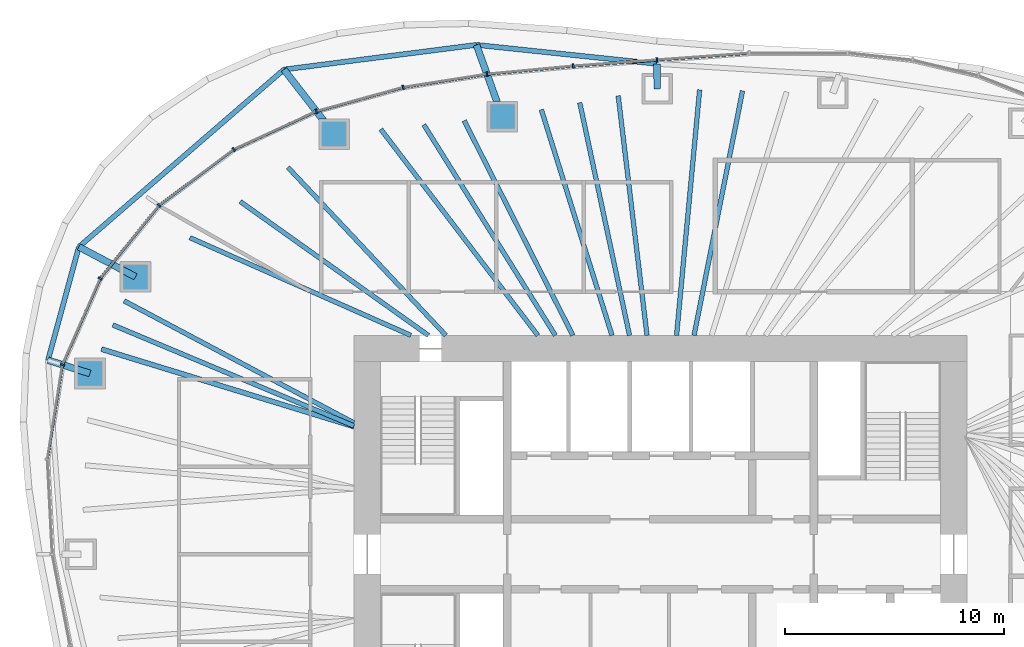
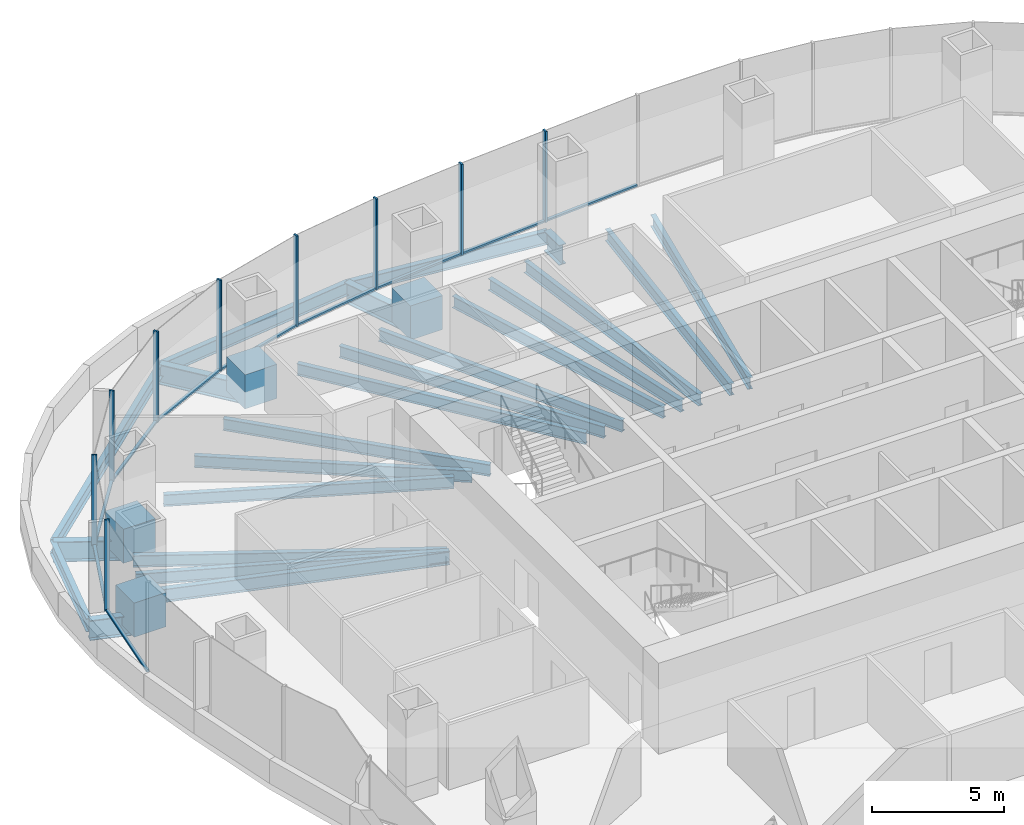
# One storey, part 5 of 12: 23 beams, 23 members, 6 elements without a shape of their own.
"""IFC4 building model written with IfcOpenShell, lengths in metres."""

import ifcopenshell
import ifcopenshell.guid

model = None  # the IFC model being written
_history = None  # IfcOwnerHistory: only IFC2X3 demands one
_inside = {}  # id of a spatial element -> (the spatial element, [elements in it])
_under = {}  # id of a project, library or spatial element -> (it, [spatial elements below it])
_declared = {}  # id of a project -> (the project, [libraries it declares])
_typed = {}  # id of a type object -> (the type object, [elements of that type])
_made_of = {}  # id of a material, layer set ... -> (it, [elements and type objects made of it])


def new_model(schema):
    """Start an empty IFC model of exactly this schema.

    Asked for "IFC4X3", IfcOpenShell would pick the latest addendum, in which some entities
    have other attributes; the version numbers below select the first issue.
    IFC2X3 requires an IfcOwnerHistory on every rooted entity: one is made here for all.
    """
    global model, _history
    if schema == "IFC4X3":
        model = ifcopenshell.file(schema_version=(4, 3, 0, 0))
    else:
        model = ifcopenshell.file(schema=schema)
    _inside.clear()
    _under.clear()
    _declared.clear()
    _typed.clear()
    _made_of.clear()
    _history = None
    if model.schema == "IFC2X3":
        org = make("IfcOrganization", Name="unknown")
        user = make(
            "IfcPersonAndOrganization",
            ThePerson=make("IfcPerson", FamilyName="unknown"),
            TheOrganization=org,
        )
        app = make(
            "IfcApplication",
            ApplicationDeveloper=org,
            Version="unknown",
            ApplicationFullName="unknown",
            ApplicationIdentifier="unknown",
        )
        _history = make(
            "IfcOwnerHistory",
            OwningUser=user,
            OwningApplication=app,
            ChangeAction="ADDED",
            CreationDate=0,
        )
    return model


def make(cls, **values):
    """One entity of the class cls with the attributes given. An attribute that is None is left unset."""
    return model.create_entity(
        cls, **{name: value for name, value in values.items() if value is not None}
    )


def rooted(cls, **values):
    """An entity with a GlobalId (a new one), such as an element, a storey or a relation."""
    return make(cls, GlobalId=ifcopenshell.guid.new(), OwnerHistory=_history, **values)


def si_unit(unit_type, name, prefix=None):
    """IfcSIUnit, for example si_unit("LENGTHUNIT", "METRE", prefix="MILLI")."""
    return make("IfcSIUnit", UnitType=unit_type, Prefix=prefix, Name=name)


def assignment(units):
    """IfcUnitAssignment: the units of a project."""
    return None if units is None else make("IfcUnitAssignment", Units=units)


def point(xyz):
    """IfcCartesianPoint."""
    return None if xyz is None else make("IfcCartesianPoint", Coordinates=xyz)


def direction(xyz):
    """IfcDirection."""
    return None if xyz is None else make("IfcDirection", DirectionRatios=xyz)


def frame(location, z_axis=None, x_axis=None):
    """IfcAxis2Placement3D, a coordinate frame: its origin and axes. An axis left out is left unset."""
    return make(
        "IfcAxis2Placement3D",
        Location=point(location),
        Axis=direction(z_axis),
        RefDirection=direction(x_axis),
    )


def frame_2d(location, x_axis=None):
    """IfcAxis2Placement2D, a coordinate frame in the plane: its origin and x axis."""
    return make(
        "IfcAxis2Placement2D", Location=point(location), RefDirection=direction(x_axis)
    )


def origin():
    """The frame at (0, 0, 0) with its axes left unset."""
    return frame((0.0, 0.0, 0.0))


def origin_2d():
    """The frame at (0, 0) in the plane with its x axis left unset."""
    return frame_2d((0.0, 0.0))


def place(relative_to, where):
    """IfcLocalPlacement: puts the frame where relative to a parent placement (None: the world)."""
    return make(
        "IfcLocalPlacement", PlacementRelTo=relative_to, RelativePlacement=where
    )


def context(
    kind, dimensions, precision=None, world=None, true_north=None, identifier=None
):
    """IfcGeometricRepresentationContext, for example the 3D "Model" context."""
    return make(
        "IfcGeometricRepresentationContext",
        ContextIdentifier=identifier,
        ContextType=kind,
        CoordinateSpaceDimension=dimensions,
        Precision=precision,
        WorldCoordinateSystem=world,
        TrueNorth=true_north,
    )


def subcontext(parent, identifier, kind, view, scale=None):
    """IfcGeometricRepresentationSubContext, for example "Body" below "Model"."""
    return make(
        "IfcGeometricRepresentationSubContext",
        ContextIdentifier=identifier,
        ContextType=kind,
        ParentContext=parent,
        TargetScale=scale,
        TargetView=view,
    )


def project(units=None, contexts=None):
    """IfcProject with its units and contexts."""
    return rooted(
        "IfcProject",
        Name="project",
        RepresentationContexts=contexts,
        UnitsInContext=assignment(units),
    )


def spatial(cls, under=None, at=None, **own):
    """A site, building, storey or space (cls), placed at a placement, below another one or the project."""
    s = rooted(cls, ObjectPlacement=at, **own)
    if under is not None:
        _under.setdefault(under.id(), (under, []))[1].append(s)
    return s


def profile(cls, at=None, kind="AREA", **sizes):
    """A parametric profile (cls). Its sizes go by their IFC names, for example OverallWidth=200.0."""
    return make(cls, ProfileType=kind, Position=at, **sizes)


def rectangle(**sizes):
    """IfcRectangleProfileDef."""
    return profile("IfcRectangleProfileDef", **sizes)


def hollow_rectangle(**sizes):
    """IfcRectangleHollowProfileDef."""
    return profile("IfcRectangleHollowProfileDef", **sizes)


def i_section(**sizes):
    """IfcIShapeProfileDef."""
    return profile("IfcIShapeProfileDef", **sizes)


def extrude(swept, where, along, depth):
    """IfcExtrudedAreaSolid: the profile swept, set in the frame where, extruded along a direction by depth."""
    return make(
        "IfcExtrudedAreaSolid",
        SweptArea=swept,
        Position=where,
        ExtrudedDirection=direction(along),
        Depth=depth,
    )


def boolean(op, a, b):
    """IfcBooleanResult of two solids."""
    return make("IfcBooleanResult", Operator=op, FirstOperand=a, SecondOperand=b)


def shape(context_of_items, identifier, shape_type, items):
    """IfcShapeRepresentation: the items that make up one representation, for example the "Body"."""
    return make(
        "IfcShapeRepresentation",
        ContextOfItems=context_of_items,
        RepresentationIdentifier=identifier,
        RepresentationType=shape_type,
        Items=items,
    )


def material(Name=None, Category=None):
    """IfcMaterial."""
    return make("IfcMaterial", Name=Name, Category=Category)


def material_profile(
    of_material, cross_section, Name=None, Category=None, Priority=None
):
    """IfcMaterialProfile: a cross section and its material."""
    return make(
        "IfcMaterialProfile",
        Name=Name,
        Material=of_material,
        Profile=cross_section,
        Priority=Priority,
        Category=Category,
    )


def profile_set(profiles, Name=None, composite=None):
    """IfcMaterialProfileSet."""
    return make(
        "IfcMaterialProfileSet",
        Name=Name,
        MaterialProfiles=profiles,
        CompositeProfile=composite,
    )


def made_of(thing, what):
    """Note that an element or type object is made of a material, layer set ...; save() writes the relation."""
    if what is not None:
        _made_of.setdefault(what.id(), (what, []))[1].append(thing)
    return thing


def type_object(cls, material=None, **own):
    """A type object (cls), such as IfcWallType, which elements share."""
    return made_of(rooted(cls, **own), material)


def element(
    cls,
    number,
    at=None,
    inside=None,
    cuts=None,
    type_object=None,
    material=None,
    context=None,
    identifier="Body",
    shape_type=None,
    held_by="IfcProductDefinitionShape",
    body=None,
    shapes=None,
    **own,
):
    """One element of the class cls, such as IfcWall. Its Tag is "e" and its number.

    at: its placement. inside: the storey or other place that contains it. cuts: it is an
    opening in that element (IfcRelVoidsElement). A single representation is given by context,
    identifier, shape_type and body (its items); several are given by shapes. held_by: the class
    of the entity that holds the representations. save() writes the other relations.
    """
    e = rooted(cls, Tag="e%d" % number, ObjectPlacement=at, **own)
    if body is not None:
        shapes = [shape(context, identifier, shape_type, body)]
    if shapes is not None:
        e.Representation = make(held_by, Representations=shapes)
    if inside is not None:
        _inside.setdefault(inside.id(), (inside, []))[1].append(e)
    if cuts is not None:
        rooted(
            "IfcRelVoidsElement", RelatingBuildingElement=cuts, RelatedOpeningElement=e
        )
    if type_object is not None:
        _typed.setdefault(type_object.id(), (type_object, []))[1].append(e)
    return made_of(e, material)


def aggregate(whole, parts):
    """IfcRelAggregates: a whole, such as a stair, and the parts it consists of."""
    return rooted("IfcRelAggregates", RelatingObject=whole, RelatedObjects=parts)


def save(model, path):
    """Write the relations noted so far, then the file.

    IfcRelAggregates (storeys below a building ...), IfcRelContainedInSpatialStructure (elements
    in a storey), IfcRelDefinesByType, IfcRelAssociatesMaterial and IfcRelDeclares: one each for
    every whole, place, type object, material and project.
    """
    for whole, parts in _under.values():
        aggregate(whole, parts)
    for where, things in _inside.values():
        rooted(
            "IfcRelContainedInSpatialStructure",
            RelatedElements=things,
            RelatingStructure=where,
        )
    for kind, things in _typed.values():
        rooted("IfcRelDefinesByType", RelatedObjects=things, RelatingType=kind)
    for what, things in _made_of.values():
        rooted("IfcRelAssociatesMaterial", RelatedObjects=things, RelatingMaterial=what)
    for by, libraries in _declared.values():
        rooted("IfcRelDeclares", RelatingContext=by, RelatedDefinitions=libraries)
    model.write(path)


model = new_model("IFC4")

# Units and contexts
model_context = context("Model", 3, precision=1e-05, world=origin(), true_north=direction((0.0, 1.0)))
body_context = subcontext(model_context, "Body", "Model", "MODEL_VIEW")
ifc_project = project(units=[si_unit("LENGTHUNIT", "METRE"), si_unit("AREAUNIT", "SQUARE_METRE"), si_unit("VOLUMEUNIT", "CUBIC_METRE"), si_unit("PLANEANGLEUNIT", "RADIAN"), si_unit("MASSUNIT", "GRAM", prefix="KILO")], contexts=[model_context])

# Site, building, storey
site_placement = place(None, origin())
site = spatial("IfcSite", under=ifc_project, at=site_placement, CompositionType="ELEMENT")
building_placement = place(site_placement, origin())
building = spatial("IfcBuilding", under=site, at=building_placement, Name="Ghaith Harvest Tower", CompositionType="ELEMENT")
storey_placement = place(building_placement, frame((0.0, 0.0, 194.800048828125)))
storey = spatial("IfcBuildingStorey", under=building, at=storey_placement, Name="L42", CompositionType="ELEMENT", Elevation=194.800048828125)

# Curtain wall, members
ifc_material_1 = material(Name="Black anodised aluminium and fritted glass", Category="aluminium")
curtain_wall_type = type_object("IfcCurtainWallType", Name="CW-H CURTAIN WALL", PredefinedType="NOTDEFINED", material=ifc_material_1)
curtain_wall_1_placement = place(storey_placement, origin())
curtain_wall_1 = element("IfcCurtainWall", 1, at=curtain_wall_1_placement, inside=storey, type_object=curtain_wall_type, Name="Curtain wall CW-H bay 06 L42", PredefinedType="NOTDEFINED")
ifc_material_2 = material(Name="Aluminium, black anodised", Category="aluminium")
ifc_material_profile_1 = material_profile(ifc_material_2, rectangle(XDim=0.080078125, YDim=0.199951171875, at=origin_2d()), Name="CW-H MULLION 80x200")
ifc_profile_set_1 = profile_set([ifc_material_profile_1], Name="Aluminium, black anodised")
member_type_1 = type_object("IfcMemberType", Name="CW-H MULLION 80x200", PredefinedType="MULLION", material=ifc_profile_set_1)
member_1_placement = place(storey_placement, frame((-0.154541015625, 22.590576171875, 0.0), z_axis=(0.0, 0.0, 1.0), x_axis=(-0.997329249665, -0.073036756239, 0.0)))
member_1 = element("IfcMember", 2, at=member_1_placement, type_object=member_type_1, Name="CW-H mullion 1 bay 06 L42", PredefinedType="MULLION", context=body_context, shape_type="SweptSolid", body=[
    extrude(rectangle(XDim=0.080078125, YDim=0.199951171875, at=origin_2d()), origin(), (0.0, 0.0, 1.0), 4.199951171875),
])
member_2_placement = place(storey_placement, frame((-3.984375, 22.310302734375, 0.0), z_axis=(0.0, 0.0, 1.0), x_axis=(-0.996522526822, -0.083323787336, 0.0)))
member_2 = element("IfcMember", 3, at=member_2_placement, type_object=member_type_1, Name="CW-H mullion 2 bay 06 L42", PredefinedType="MULLION", context=body_context, shape_type="SweptSolid", body=[
    extrude(rectangle(XDim=0.080078125, YDim=0.199951171875, at=origin_2d()), origin(), (0.0, 0.0, 1.0), 4.199951171875),
])

curtain_wall_2_placement = place(storey_placement, origin())
curtain_wall_2 = element("IfcCurtainWall", 4, at=curtain_wall_2_placement, inside=storey, type_object=curtain_wall_type, Name="Curtain wall CW-H bay 07 L42", PredefinedType="NOTDEFINED")
member_3_placement = place(storey_placement, frame((-7.924560546875, 21.94091796875, 0.0), z_axis=(0.0, 0.0, 1.0), x_axis=(-0.992235485325, -0.124373396119, 0.0)))
member_3 = element("IfcMember", 5, at=member_3_placement, type_object=member_type_1, Name="CW-H mullion 1 bay 07 L42", PredefinedType="MULLION", context=body_context, shape_type="SweptSolid", body=[
    extrude(rectangle(XDim=0.080078125, YDim=0.199951171875, at=origin_2d()), origin(), (0.0, 0.0, 1.0), 4.199951171875),
])
member_4_placement = place(storey_placement, frame((-11.75244140625, 21.336669921875, 0.0), z_axis=(0.0, 0.0, 1.0), x_axis=(-0.977086484172, -0.212842670646, 0.0)))
member_4 = element("IfcMember", 6, at=member_4_placement, type_object=member_type_1, Name="CW-H mullion 2 bay 07 L42", PredefinedType="MULLION", context=body_context, shape_type="SweptSolid", body=[
    extrude(rectangle(XDim=0.080078125, YDim=0.199951171875, at=origin_2d()), origin(), (0.0, 0.0, 1.0), 4.199951171875),
])

curtain_wall_3_placement = place(storey_placement, origin())
curtain_wall_3 = element("IfcCurtainWall", 7, at=curtain_wall_3_placement, inside=storey, type_object=curtain_wall_type, Name="Curtain wall CW-H bay 08 L42", PredefinedType="NOTDEFINED")
member_5_placement = place(storey_placement, frame((-15.720947265625, 20.242431640625, 0.0), z_axis=(0.0, 0.0, 1.0), x_axis=(-0.938930986476, -0.344105510906, 0.0)))
member_5 = element("IfcMember", 8, at=member_5_placement, type_object=member_type_1, Name="CW-H mullion 1 bay 08 L42", PredefinedType="MULLION", context=body_context, shape_type="SweptSolid", body=[
    extrude(rectangle(XDim=0.080078125, YDim=0.199951171875, at=origin_2d()), origin(), (0.0, 0.0, 1.0), 4.199951171875),
])
member_6_placement = place(storey_placement, frame((-19.4951171875, 18.4990234375, 0.0), z_axis=(0.0, 0.0, 1.0), x_axis=(-0.857998754004, -0.513651767376, 0.0)))
member_6 = element("IfcMember", 9, at=member_6_placement, type_object=member_type_1, Name="CW-H mullion 2 bay 08 L42", PredefinedType="MULLION", context=body_context, shape_type="SweptSolid", body=[
    extrude(rectangle(XDim=0.080078125, YDim=0.199951171875, at=origin_2d()), origin(), (0.0, 0.0, 1.0), 4.199951171875),
])

curtain_wall_4_placement = place(storey_placement, origin())
curtain_wall_4 = element("IfcCurtainWall", 10, at=curtain_wall_4_placement, inside=storey, type_object=curtain_wall_type, Name="Curtain wall CW-H bay 09 L42", PredefinedType="NOTDEFINED")
member_7_placement = place(storey_placement, frame((-22.908203125, 15.939697265625, 0.0), z_axis=(0.0, 0.0, 1.0), x_axis=(-0.719146135082, -0.694858860774, 0.0)))
member_7 = element("IfcMember", 11, at=member_7_placement, type_object=member_type_1, Name="CW-H mullion 1 bay 09 L42", PredefinedType="MULLION", context=body_context, shape_type="SweptSolid", body=[
    extrude(rectangle(XDim=0.080078125, YDim=0.199951171875, at=origin_2d()), origin(), (0.0, 0.0, 1.0), 4.199951171875),
])
member_8_placement = place(storey_placement, frame((-25.599609375, 12.6005859375, 0.0), z_axis=(0.0, 0.0, 1.0), x_axis=(-0.518769201232, -0.854914332464, 0.0)))
member_8 = element("IfcMember", 12, at=member_8_placement, type_object=member_type_1, Name="CW-H mullion 2 bay 09 L42", PredefinedType="MULLION", context=body_context, shape_type="SweptSolid", body=[
    extrude(rectangle(XDim=0.080078125, YDim=0.199951171875, at=origin_2d()), origin(), (0.0, 0.0, 1.0), 4.199951171875),
])

# Curtain wall, member
curtain_wall_5_placement = place(storey_placement, origin())
curtain_wall_5 = element("IfcCurtainWall", 13, at=curtain_wall_5_placement, inside=storey, type_object=curtain_wall_type, Name="Curtain wall CW-H bay 10 L42", PredefinedType="NOTDEFINED")
member_9_placement = place(storey_placement, frame((-27.32568359375, 8.659912109375, 0.0), z_axis=(0.0, 0.0, 1.0), x_axis=(-0.280520268431, -0.959848102045, 0.0)))
member_9 = element("IfcMember", 14, at=member_9_placement, type_object=member_type_1, Name="CW-H mullion 1 bay 10 L42", PredefinedType="MULLION", context=body_context, shape_type="SweptSolid", body=[
    extrude(rectangle(XDim=0.080078125, YDim=0.199951171875, at=origin_2d()), origin(), (0.0, 0.0, 1.0), 4.199951171875),
])

curtain_wall_6_placement = place(storey_placement, origin())
curtain_wall_6 = element("IfcCurtainWall", 15, at=curtain_wall_6_placement, inside=storey, type_object=curtain_wall_type, Name="Curtain wall CW-H bay 05 L42", PredefinedType="NOTDEFINED")
ifc_material_3 = material(Name="Aluminium, black anodised", Category="aluminium")
ifc_material_profile_2 = material_profile(ifc_material_3, rectangle(XDim=0.1298828125, YDim=0.080078125, at=origin_2d()), Name="CW-H TRANSOM 130x80")
ifc_profile_set_2 = profile_set([ifc_material_profile_2], Name="Aluminium, black anodised")
member_type_2 = type_object("IfcMemberType", Name="CW-H TRANSOM 130x80", PredefinedType="USERDEFINED", material=ifc_profile_set_2)
member_10_placement = place(storey_placement, frame((4.01953125, 22.896484375, 0.0400390625), z_axis=(-0.997325457985, -0.07308851384, 0.0), x_axis=(0.07308851384, -0.997325457985, 0.0)))
member_10 = element("IfcMember", 16, at=member_10_placement, type_object=member_type_2, Name="CW-H transom 2 bay 05 L42", ObjectType="TRANSOM", PredefinedType="USERDEFINED", context=body_context, shape_type="SweptSolid", body=[
    extrude(rectangle(XDim=0.1298828125, YDim=0.080078125, at=origin_2d()), origin(), (0.0, 0.0, 1.0), 4.145263671875),
])
aggregate(curtain_wall_6, [member_10])

# Member
member_11_placement = place(storey_placement, frame((-0.194580078125, 22.587646484375, 0.0400390625), z_axis=(-0.997332916649, -0.072986665689, 0.0), x_axis=(0.072986665689, -0.997332916649, 0.0)))
member_11 = element("IfcMember", 17, at=member_11_placement, type_object=member_type_2, Name="CW-H transom 1 bay 06 L42", ObjectType="TRANSOM", PredefinedType="USERDEFINED", context=body_context, shape_type="SweptSolid", body=[
    extrude(rectangle(XDim=0.1298828125, YDim=0.080078125, at=origin_2d()), origin(), (0.0, 0.0, 1.0), 3.759765625),
])

member_12_placement = place(storey_placement, frame((-4.024169921875, 22.306640625, 0.0400390625), z_axis=(-0.995631116984, -0.093373866217, 0.0), x_axis=(0.093373866217, -0.995631116984, 0.0)))
member_12 = element("IfcMember", 18, at=member_12_placement, type_object=member_type_2, Name="CW-H transom 2 bay 06 L42", ObjectType="TRANSOM", PredefinedType="USERDEFINED", context=body_context, shape_type="SweptSolid", body=[
    extrude(rectangle(XDim=0.1298828125, YDim=0.080078125, at=origin_2d()), origin(), (0.0, 0.0, 1.0), 3.87744140625),
])

aggregate(curtain_wall_1, [member_1, member_11, member_2, member_12])

member_13_placement = place(storey_placement, frame((-7.964111328125, 21.9345703125, 0.0400390625), z_axis=(-0.98776765914, -0.155932843097, 0.0), x_axis=(0.155932843097, -0.98776765914, 0.0)))
member_13 = element("IfcMember", 19, at=member_13_placement, type_object=member_type_2, Name="CW-H transom 1 bay 07 L42", ObjectType="TRANSOM", PredefinedType="USERDEFINED", context=body_context, shape_type="SweptSolid", body=[
    extrude(rectangle(XDim=0.1298828125, YDim=0.080078125, at=origin_2d()), origin(), (0.0, 0.0, 1.0), 3.795166015625),
])

member_14_placement = place(storey_placement, frame((-11.791015625, 21.325927734375, 0.0400390625), z_axis=(-0.964038584245, -0.265762315024, 0.0), x_axis=(0.265762315024, -0.964038584245, 0.0)))
member_14 = element("IfcMember", 20, at=member_14_placement, type_object=member_type_2, Name="CW-H transom 2 bay 07 L42", ObjectType="TRANSOM", PredefinedType="USERDEFINED", context=body_context, shape_type="SweptSolid", body=[
    extrude(rectangle(XDim=0.1298828125, YDim=0.080078125, at=origin_2d()), origin(), (0.0, 0.0, 1.0), 4.03662109375),
])

aggregate(curtain_wall_2, [member_3, member_13, member_4, member_14])

member_15_placement = place(storey_placement, frame((-15.75732421875, 20.2255859375, 0.0400390625), z_axis=(-0.907831404762, -0.419335355686, 0.0), x_axis=(0.419335355686, -0.907831404762, 0.0)))
member_15 = element("IfcMember", 21, at=member_15_placement, type_object=member_type_2, Name="CW-H transom 1 bay 08 L42", ObjectType="TRANSOM", PredefinedType="USERDEFINED", context=body_context, shape_type="SweptSolid", body=[
    extrude(rectangle(XDim=0.1298828125, YDim=0.080078125, at=origin_2d()), origin(), (0.0, 0.0, 1.0), 4.0771484375),
])

member_16_placement = place(storey_placement, frame((-19.527099609375, 18.47509765625, 0.0400390625), z_axis=(-0.800041988873, -0.599944010755, 0.0), x_axis=(0.599944010755, -0.800041988873, 0.0)))
member_16 = element("IfcMember", 22, at=member_16_placement, type_object=member_type_2, Name="CW-H transom 2 bay 08 L42", ObjectType="TRANSOM", PredefinedType="USERDEFINED", context=body_context, shape_type="SweptSolid", body=[
    extrude(rectangle(XDim=0.1298828125, YDim=0.080078125, at=origin_2d()), origin(), (0.0, 0.0, 1.0), 4.186279296875),
])

aggregate(curtain_wall_3, [member_5, member_15, member_6, member_16])

member_17_placement = place(storey_placement, frame((-22.933349609375, 15.90869140625, 0.0400390625), z_axis=(-0.6275347306, -0.778588570357, 0.0), x_axis=(0.778588570357, -0.6275347306, 0.0)))
member_17 = element("IfcMember", 23, at=member_17_placement, type_object=member_type_2, Name="CW-H transom 1 bay 09 L42", ObjectType="TRANSOM", PredefinedType="USERDEFINED", context=body_context, shape_type="SweptSolid", body=[
    extrude(rectangle(XDim=0.1298828125, YDim=0.080078125, at=origin_2d()), origin(), (0.0, 0.0, 1.0), 4.208740234375),
])

member_18_placement = place(storey_placement, frame((-25.61572265625, 12.56396484375, 0.0400390625), z_axis=(-0.401185844746, -0.915996680112, 0.0), x_axis=(0.915996680112, -0.401185844746, 0.0)))
member_18 = element("IfcMember", 24, at=member_18_placement, type_object=member_type_2, Name="CW-H transom 2 bay 09 L42", ObjectType="TRANSOM", PredefinedType="USERDEFINED", context=body_context, shape_type="SweptSolid", body=[
    extrude(rectangle(XDim=0.1298828125, YDim=0.080078125, at=origin_2d()), origin(), (0.0, 0.0, 1.0), 4.22216796875),
])

aggregate(curtain_wall_4, [member_7, member_17, member_8, member_18])

member_19_placement = place(storey_placement, frame((-27.33203125, 8.62060546875, 0.0400390625), z_axis=(-0.157492444441, -0.98752019217, 0.0), x_axis=(0.98752019217, -0.157492444441, 0.0)))
member_19 = element("IfcMember", 25, at=member_19_placement, type_object=member_type_2, Name="CW-H transom 1 bay 10 L42", ObjectType="TRANSOM", PredefinedType="USERDEFINED", context=body_context, shape_type="SweptSolid", body=[
    extrude(rectangle(XDim=0.1298828125, YDim=0.080078125, at=origin_2d()), origin(), (0.0, 0.0, 1.0), 4.3017578125),
])

aggregate(curtain_wall_5, [member_9, member_19])

# Beams
ifc_material_4 = material(Name="Steel ASTM A992 Grade 50", Category="steel")
ifc_material_profile_3 = material_profile(ifc_material_4, i_section(OverallWidth=0.22900390625, OverallDepth=0.612060546875, WebThickness=0.011962890625, FlangeThickness=0.01953125, at=origin_2d()), Name="W610X125")
ifc_profile_set_3 = profile_set([ifc_material_profile_3], Name="Steel ASTM A992 Grade 50")
beam_type_1 = type_object("IfcBeamType", Name="E610-125 W610X125", PredefinedType="SPANDREL", material=ifc_profile_set_3)
beam_1_placement = place(storey_placement, frame((-0.1533203125, 22.40966796875, -0.5810546875), z_axis=(-0.994537645724, 0.104378499883, 0.0), x_axis=(-0.104378499883, -0.994537645724, 0.0)))
element("IfcBeam", 26, at=beam_1_placement, inside=storey, type_object=beam_type_1, Name="Setback edge beam E06 L42", PredefinedType="SPANDREL", context=body_context, shape_type="SweptSolid", body=[
    extrude(i_section(OverallWidth=0.22900390625, OverallDepth=0.612060546875, WebThickness=0.011962890625, FlangeThickness=0.01953125, at=origin_2d()), origin(), (0.0, 0.0, 1.0), 8.298828125),
])
beam_2_placement = place(storey_placement, frame((-8.40673828125, 23.27587890625, -0.5810546875), z_axis=(-0.991901509787, -0.12700942832, 0.0), x_axis=(0.12700942832, -0.991901509787, 0.0)))
element("IfcBeam", 27, at=beam_2_placement, inside=storey, type_object=beam_type_1, Name="Setback edge beam E07 L42", PredefinedType="SPANDREL", context=body_context, shape_type="SweptSolid", body=[
    extrude(i_section(OverallWidth=0.22900390625, OverallDepth=0.612060546875, WebThickness=0.011962890625, FlangeThickness=0.01953125, at=origin_2d()), origin(), (0.0, 0.0, 1.0), 8.8671875),
])
beam_3_placement = place(storey_placement, frame((-17.2021484375, 22.149658203125, -0.5810546875), z_axis=(-0.756375294338, -0.654137916739, 0.0), x_axis=(0.654137916739, -0.756375294338, 0.0)))
element("IfcBeam", 28, at=beam_3_placement, inside=storey, type_object=beam_type_1, Name="Setback edge beam E08 L42", PredefinedType="SPANDREL", context=body_context, shape_type="SweptSolid", body=[
    extrude(i_section(OverallWidth=0.22900390625, OverallDepth=0.612060546875, WebThickness=0.011962890625, FlangeThickness=0.01953125, at=origin_2d()), origin(), (0.0, 0.0, 1.0), 12.388916015625),
])
beam_4_placement = place(storey_placement, frame((-26.57275390625, 14.045654296875, -0.5810546875), z_axis=(-0.262747807153, -0.964864544813, 0.0), x_axis=(0.964864544813, -0.262747807153, 0.0)))
element("IfcBeam", 29, at=beam_4_placement, inside=storey, type_object=beam_type_1, Name="Setback edge beam E09 L42", PredefinedType="SPANDREL", context=body_context, shape_type="SweptSolid", body=[
    extrude(i_section(OverallWidth=0.22900390625, OverallDepth=0.612060546875, WebThickness=0.011962890625, FlangeThickness=0.01953125, at=origin_2d()), origin(), (0.0, 0.0, 1.0), 5.365966796875),
])
ifc_material_5 = material(Name="Steel ASTM A992 Grade 50", Category="steel")
ifc_material_profile_4 = material_profile(ifc_material_5, i_section(OverallWidth=0.31005859375, OverallDepth=0.927001953125, WebThickness=0.019287109375, FlangeThickness=0.031982421875, at=origin_2d()), Name="W920X289")
ifc_profile_set_4 = profile_set([ifc_material_profile_4], Name="Steel ASTM A992 Grade 50")
beam_type_2 = type_object("IfcBeamType", Name="G920-289 W920X289", PredefinedType="BEAM", material=ifc_profile_set_4)
beam_5_placement = place(storey_placement, frame((-0.14599609375, 21.27099609375, -0.738525390625), z_axis=(-0.006432113939, 0.999979313741, 0.0), x_axis=(-0.999979313741, -0.006432113939, 0.0)))
element("IfcBeam", 30, at=beam_5_placement, inside=storey, type_object=beam_type_2, Name="Setback cantilever G06 L42", PredefinedType="BEAM", context=body_context, shape_type="SweptSolid", body=[
    extrude(i_section(OverallWidth=0.31005859375, OverallDepth=0.927001953125, WebThickness=0.019287109375, FlangeThickness=0.031982421875, at=origin_2d()), origin(), (0.0, 0.0, 1.0), 1.138671875),
])
beam_6_placement = place(storey_placement, frame((-7.221923828125, 19.9970703125, -0.738525390625), z_axis=(-0.339847514136, 0.940480551174, 0.0), x_axis=(-0.940480551174, -0.339847514136, 0.0)))
element("IfcBeam", 31, at=beam_6_placement, inside=storey, type_object=beam_type_2, Name="Setback cantilever G07 L42", PredefinedType="BEAM", context=body_context, shape_type="SweptSolid", body=[
    extrude(i_section(OverallWidth=0.31005859375, OverallDepth=0.927001953125, WebThickness=0.019287109375, FlangeThickness=0.031982421875, at=origin_2d()), origin(), (0.0, 0.0, 1.0), 3.486328125),
])
beam_7_placement = place(storey_placement, frame((-14.910888671875, 19.199951171875, -0.738525390625), z_axis=(-0.613447241944, 0.78973570348, 0.0), x_axis=(-0.78973570348, -0.613447241944, 0.0)))
element("IfcBeam", 32, at=beam_7_placement, inside=storey, type_object=beam_type_2, Name="Setback cantilever G08 L42", PredefinedType="BEAM", context=body_context, shape_type="SweptSolid", body=[
    extrude(i_section(OverallWidth=0.31005859375, OverallDepth=0.927001953125, WebThickness=0.019287109375, FlangeThickness=0.031982421875, at=origin_2d()), origin(), (0.0, 0.0, 1.0), 3.735107421875),
])
beam_8_placement = place(storey_placement, frame((-23.986083984375, 12.677978515625, -0.738525390625), z_axis=(-0.884033375097, 0.467423781717, 0.0), x_axis=(-0.467423781717, -0.884033375097, 0.0)))
element("IfcBeam", 33, at=beam_8_placement, inside=storey, type_object=beam_type_2, Name="Setback cantilever G09 L42", PredefinedType="BEAM", context=body_context, shape_type="SweptSolid", body=[
    extrude(i_section(OverallWidth=0.31005859375, OverallDepth=0.927001953125, WebThickness=0.019287109375, FlangeThickness=0.031982421875, at=origin_2d()), origin(), (0.0, 0.0, 1.0), 2.926025390625),
])
beam_9_placement = place(storey_placement, frame((-26.06689453125, 8.260986328125, -0.738525390625), z_axis=(-0.953268191218, 0.302125397166, 0.0), x_axis=(-0.302125397166, -0.953268191218, 0.0)))
element("IfcBeam", 34, at=beam_9_placement, inside=storey, type_object=beam_type_2, Name="Setback cantilever G10 L42", PredefinedType="BEAM", context=body_context, shape_type="SweptSolid", body=[
    extrude(i_section(OverallWidth=0.31005859375, OverallDepth=0.927001953125, WebThickness=0.019287109375, FlangeThickness=0.031982421875, at=origin_2d()), origin(), (0.0, 0.0, 1.0), 2.009765625),
])
ifc_material_6 = material(Name="Steel ASTM A992 Grade 50", Category="steel")
ifc_material_profile_5 = material_profile(ifc_material_6, i_section(OverallWidth=0.2109375, OverallDepth=0.5390625, WebThickness=0.01171875, FlangeThickness=0.018798828125, at=origin_2d()), Name="W530X109")
ifc_profile_set_5 = profile_set([ifc_material_profile_5], Name="Steel ASTM A992 Grade 50")
beam_type_3 = type_object("IfcBeamType", Name="J530-109 W530X109", PredefinedType="JOIST", material=ifc_profile_set_5)
beam_10_placement = place(storey_placement, frame((1.538330078125, 10.0, -0.439453125), z_axis=(0.194467299131, 0.980909001676, 0.0), x_axis=(-0.980909001676, 0.194467299131, 0.0)))
element("IfcBeam", 35, at=beam_10_placement, inside=storey, type_object=beam_type_3, Name="Joist J05.2 L42", PredefinedType="JOIST", context=body_context, shape_type="SweptSolid", body=[
    extrude(i_section(OverallWidth=0.2109375, OverallDepth=0.5390625, WebThickness=0.01171875, FlangeThickness=0.018798828125, at=origin_2d()), origin(), (0.0, 0.0, 1.0), 11.391845703125),
])
beam_11_placement = place(storey_placement, frame((0.73828125, 10.0, -0.439453125), z_axis=(0.093607062293, 0.995609219468, 0.0), x_axis=(-0.995609219468, 0.093607062293, 0.0)))
element("IfcBeam", 36, at=beam_11_placement, inside=storey, type_object=beam_type_3, Name="Joist J05.3 L42", PredefinedType="JOIST", context=body_context, shape_type="SweptSolid", body=[
    extrude(i_section(OverallWidth=0.2109375, OverallDepth=0.5390625, WebThickness=0.01171875, FlangeThickness=0.018798828125, at=origin_2d()), origin(), (0.0, 0.0, 1.0), 11.2724609375),
])
beam_12_placement = place(storey_placement, frame((-0.61181640625, 10.0, -0.439453125), z_axis=(-0.119358199903, 0.9928512578, 0.0), x_axis=(-0.9928512578, -0.119358199903, 0.0)))
element("IfcBeam", 37, at=beam_12_placement, inside=storey, type_object=beam_type_3, Name="Joist J06.1 L42", PredefinedType="JOIST", context=body_context, shape_type="SweptSolid", body=[
    extrude(i_section(OverallWidth=0.2109375, OverallDepth=0.5390625, WebThickness=0.01171875, FlangeThickness=0.018798828125, at=origin_2d()), origin(), (0.0, 0.0, 1.0), 11.029052734375),
])
beam_13_placement = place(storey_placement, frame((-1.411865234375, 10.0, -0.439453125), z_axis=(-0.209026140978, 0.977910053322, 0.0), x_axis=(-0.977910053322, -0.209026140978, 0.0)))
element("IfcBeam", 38, at=beam_13_placement, inside=storey, type_object=beam_type_3, Name="Joist J06.2 L42", PredefinedType="JOIST", context=body_context, shape_type="SweptSolid", body=[
    extrude(i_section(OverallWidth=0.2109375, OverallDepth=0.5390625, WebThickness=0.01171875, FlangeThickness=0.018798828125, at=origin_2d()), origin(), (0.0, 0.0, 1.0), 10.8740234375),
])
beam_14_placement = place(storey_placement, frame((-2.2119140625, 10.0, -0.439453125), z_axis=(-0.298674860327, 0.954354927587, 0.0), x_axis=(-0.954354927587, -0.298674860327, 0.0)))
element("IfcBeam", 39, at=beam_14_placement, inside=storey, type_object=beam_type_3, Name="Joist J06.3 L42", PredefinedType="JOIST", context=body_context, shape_type="SweptSolid", body=[
    extrude(i_section(OverallWidth=0.2109375, OverallDepth=0.5390625, WebThickness=0.01171875, FlangeThickness=0.018798828125, at=origin_2d()), origin(), (0.0, 0.0, 1.0), 10.81103515625),
])
beam_15_placement = place(storey_placement, frame((-4.0, 10.0, -0.439453125), z_axis=(-0.451646219201, 0.892197115374, 0.0), x_axis=(-0.892197115374, -0.451646219201, 0.0)))
element("IfcBeam", 40, at=beam_15_placement, inside=storey, type_object=beam_type_3, Name="Joist J07.1 L42", PredefinedType="JOIST", context=body_context, shape_type="SweptSolid", body=[
    extrude(i_section(OverallWidth=0.2109375, OverallDepth=0.5390625, WebThickness=0.01171875, FlangeThickness=0.018798828125, at=origin_2d()), origin(), (0.0, 0.0, 1.0), 11.001953125),
])
beam_16_placement = place(storey_placement, frame((-4.800048828125, 10.0, -0.439453125), z_axis=(-0.529627564093, 0.848230300893, 0.0), x_axis=(-0.848230300893, -0.529627564093, 0.0)))
element("IfcBeam", 41, at=beam_16_placement, inside=storey, type_object=beam_type_3, Name="Joist J07.2 L42", PredefinedType="JOIST", context=body_context, shape_type="SweptSolid", body=[
    extrude(i_section(OverallWidth=0.2109375, OverallDepth=0.5390625, WebThickness=0.01171875, FlangeThickness=0.018798828125, at=origin_2d()), origin(), (0.0, 0.0, 1.0), 11.34716796875),
])
beam_17_placement = place(storey_placement, frame((-5.60009765625, 10.0, -0.439453125), z_axis=(-0.605976135502, 0.795482823952, 0.0), x_axis=(-0.795482823952, -0.605976135502, 0.0)))
element("IfcBeam", 42, at=beam_17_placement, inside=storey, type_object=beam_type_3, Name="Joist J07.3 L42", PredefinedType="JOIST", context=body_context, shape_type="SweptSolid", body=[
    extrude(i_section(OverallWidth=0.2109375, OverallDepth=0.5390625, WebThickness=0.01171875, FlangeThickness=0.018798828125, at=origin_2d()), origin(), (0.0, 0.0, 1.0), 11.84326171875),
])
beam_18_placement = place(storey_placement, frame((-9.800048828125, 10.0, -0.439453125), z_axis=(-0.68496015818, 0.728580525203, 0.0), x_axis=(-0.728580525203, -0.68496015818, 0.0)))
element("IfcBeam", 43, at=beam_18_placement, inside=storey, type_object=beam_type_3, Name="Joist J08.1 L42", PredefinedType="JOIST", context=body_context, shape_type="SweptSolid", body=[
    extrude(i_section(OverallWidth=0.2109375, OverallDepth=0.5390625, WebThickness=0.01171875, FlangeThickness=0.018798828125, at=origin_2d()), origin(), (0.0, 0.0, 1.0), 10.544677734375),
])
beam_19_placement = place(storey_placement, frame((-10.60009765625, 10.0, -0.439453125), z_axis=(-0.814837070547, 0.579690045164, 0.0), x_axis=(-0.579690045164, -0.814837070547, 0.0)))
element("IfcBeam", 44, at=beam_19_placement, inside=storey, type_object=beam_type_3, Name="Joist J08.2 L42", PredefinedType="JOIST", context=body_context, shape_type="SweptSolid", body=[
    extrude(i_section(OverallWidth=0.2109375, OverallDepth=0.5390625, WebThickness=0.01171875, FlangeThickness=0.018798828125, at=origin_2d()), origin(), (0.0, 0.0, 1.0), 10.5537109375),
])
beam_20_placement = place(storey_placement, frame((-11.39990234375, 10.0, -0.439453125), z_axis=(-0.914561290029, 0.40444733499, 0.0), x_axis=(-0.40444733499, -0.914561290029, 0.0)))
element("IfcBeam", 45, at=beam_20_placement, inside=storey, type_object=beam_type_3, Name="Joist J08.3 L42", PredefinedType="JOIST", context=body_context, shape_type="SweptSolid", body=[
    extrude(i_section(OverallWidth=0.2109375, OverallDepth=0.5390625, WebThickness=0.01171875, FlangeThickness=0.018798828125, at=origin_2d()), origin(), (0.0, 0.0, 1.0), 11.041748046875),
])
beam_21_placement = place(storey_placement, frame((-14.0, 6.0, -0.439453125), z_axis=(-0.883192517405, 0.469010636553, 0.0), x_axis=(-0.469010636553, -0.883192517405, 0.0)))
element("IfcBeam", 46, at=beam_21_placement, inside=storey, type_object=beam_type_3, Name="Joist J09.1 L42", PredefinedType="JOIST", context=body_context, shape_type="SweptSolid", body=[
    extrude(i_section(OverallWidth=0.2109375, OverallDepth=0.5390625, WebThickness=0.01171875, FlangeThickness=0.018798828125, at=origin_2d()), origin(), (0.0, 0.0, 1.0), 11.893310546875),
])
beam_22_placement = place(storey_placement, frame((-14.0, 5.862548828125, -0.439453125), z_axis=(-0.922380898158, 0.386281605455, 0.0), x_axis=(-0.386281605455, -0.922380898158, 0.0)))
element("IfcBeam", 47, at=beam_22_placement, inside=storey, type_object=beam_type_3, Name="Joist J09.2 L42", PredefinedType="JOIST", context=body_context, shape_type="SweptSolid", body=[
    extrude(i_section(OverallWidth=0.2109375, OverallDepth=0.5390625, WebThickness=0.01171875, FlangeThickness=0.018798828125, at=origin_2d()), origin(), (0.0, 0.0, 1.0), 11.94970703125),
])
ifc_material_7 = material(Name="Steel ASTM A992 Grade 50", Category="steel")
ifc_material_profile_6 = material_profile(ifc_material_7, i_section(OverallWidth=0.22900390625, OverallDepth=0.612060546875, WebThickness=0.011962890625, FlangeThickness=0.01953125, at=origin_2d()), Name="W610X125")
ifc_profile_set_6 = profile_set([ifc_material_profile_6], Name="Steel ASTM A992 Grade 50")
beam_type_4 = type_object("IfcBeamType", Name="J610-125 W610X125", PredefinedType="JOIST", material=ifc_profile_set_6)
beam_23_placement = place(storey_placement, frame((-14.0, 5.8369140625, -0.47607421875), z_axis=(-0.95611420064, 0.292994258194, 0.0), x_axis=(-0.292994258194, -0.95611420064, 0.0)))
element("IfcBeam", 48, at=beam_23_placement, inside=storey, type_object=beam_type_4, Name="Joist J09.3 L42", PredefinedType="JOIST", context=body_context, shape_type="SweptSolid", body=[
    extrude(i_section(OverallWidth=0.22900390625, OverallDepth=0.612060546875, WebThickness=0.011962890625, FlangeThickness=0.01953125, at=origin_2d()), origin(), (0.0, 0.0, 1.0), 12.072265625),
])

# Members
ifc_material_8 = material(Name="Steel S690QL", Category="steel")
ifc_material_profile_7 = material_profile(ifc_material_8, hollow_rectangle(XDim=1.39990234375, YDim=1.39990234375, WallThickness=0.139892578125, at=origin_2d()), Name="BOX1400X1400X140")
ifc_profile_set_7 = profile_set([ifc_material_profile_7], Name="Steel S690QL")
member_type_3 = type_object("IfcMemberType", Name="KN2 BOX1400X1400X140", PredefinedType="USERDEFINED", material=ifc_profile_set_7)
for number, where, z_axis, x_axis, name in (
    (49, (-7.221923828125, 19.9970703125, -0.775146484375), (0.0, 0.0, 1.0), (1.0, 0.0, 0.0), "Raked column kink node C07 head L41"),
    (50, (-14.910888671875, 19.199951171875, -0.775146484375), (0.0, 0.0, 1.0), (1.0, 0.0, 0.0), "Raked column kink node C08 head L41"),
    (51, (-23.986083984375, 12.677978515625, -0.775146484375), (0.0, 0.0, 1.0), (1.0, 0.0, 0.0), "Raked column kink node C09 head L41"),
    (52, (-26.06689453125, 8.260986328125, -0.775146484375), (0.0, 0.0, 1.0), (1.0, 0.0, 0.0), "Raked column kink node C10 head L41"),
):
    element("IfcMember", number, at=place(storey_placement, frame(where, z_axis=z_axis, x_axis=x_axis)), inside=storey, type_object=member_type_3, Name=name, ObjectType="KINK NODE", PredefinedType="USERDEFINED", context=body_context, shape_type="CSG", body=[
        boolean("UNION", extrude(hollow_rectangle(XDim=1.39990234375, YDim=1.39990234375, WallThickness=0.139892578125, at=origin_2d()), origin(), (0.0, 0.0, 1.0), 1.55029296875), extrude(rectangle(XDim=1.39990234375, YDim=1.39990234375, at=origin_2d()), frame((0.0, 0.0, 1.55029296875)), (0.0, 0.0, 1.0), 0.02490234375)),
    ])

save(model, "model.ifc")
